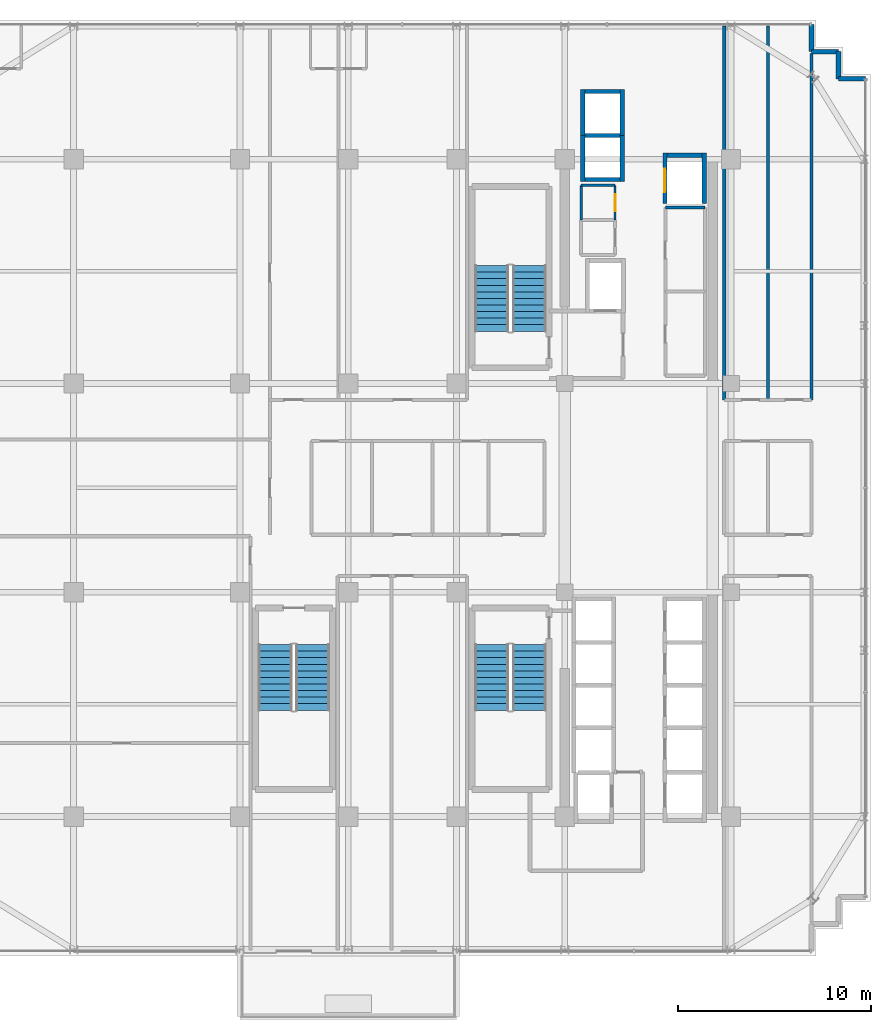
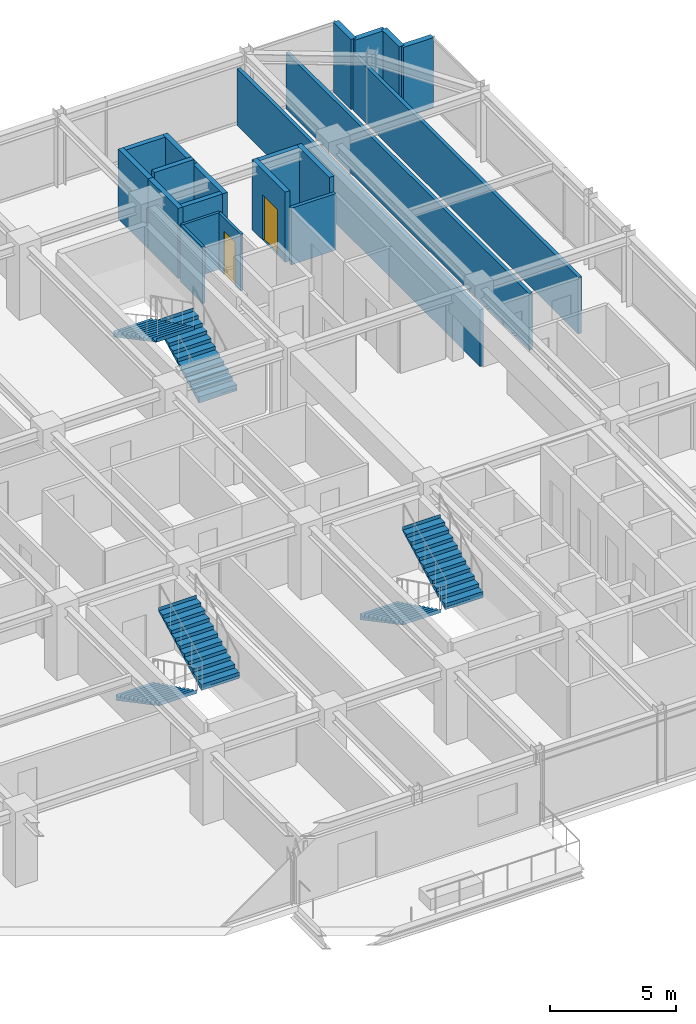
# One storey, part 29 of 32: 21 walls, 6 stair flights, 2 doors, 2 openings, 3 elements without a shape of their own.
"""IFC4 building model written with IfcOpenShell, lengths in metres."""

import ifcopenshell
import ifcopenshell.guid

model = None  # the IFC model being written
_history = None  # IfcOwnerHistory: only IFC2X3 demands one
_inside = {}  # id of a spatial element -> (the spatial element, [elements in it])
_under = {}  # id of a project, library or spatial element -> (it, [spatial elements below it])
_declared = {}  # id of a project -> (the project, [libraries it declares])
_typed = {}  # id of a type object -> (the type object, [elements of that type])
_made_of = {}  # id of a material, layer set ... -> (it, [elements and type objects made of it])


def new_model(schema):
    """Start an empty IFC model of exactly this schema.

    Asked for "IFC4X3", IfcOpenShell would pick the latest addendum, in which some entities
    have other attributes; the version numbers below select the first issue.
    IFC2X3 requires an IfcOwnerHistory on every rooted entity: one is made here for all.
    """
    global model, _history
    if schema == "IFC4X3":
        model = ifcopenshell.file(schema_version=(4, 3, 0, 0))
    else:
        model = ifcopenshell.file(schema=schema)
    _inside.clear()
    _under.clear()
    _declared.clear()
    _typed.clear()
    _made_of.clear()
    _history = None
    if model.schema == "IFC2X3":
        org = make("IfcOrganization", Name="unknown")
        user = make(
            "IfcPersonAndOrganization",
            ThePerson=make("IfcPerson", FamilyName="unknown"),
            TheOrganization=org,
        )
        app = make(
            "IfcApplication",
            ApplicationDeveloper=org,
            Version="unknown",
            ApplicationFullName="unknown",
            ApplicationIdentifier="unknown",
        )
        _history = make(
            "IfcOwnerHistory",
            OwningUser=user,
            OwningApplication=app,
            ChangeAction="ADDED",
            CreationDate=0,
        )
    return model


def make(cls, **values):
    """One entity of the class cls with the attributes given. An attribute that is None is left unset."""
    return model.create_entity(
        cls, **{name: value for name, value in values.items() if value is not None}
    )


def rooted(cls, **values):
    """An entity with a GlobalId (a new one), such as an element, a storey or a relation."""
    return make(cls, GlobalId=ifcopenshell.guid.new(), OwnerHistory=_history, **values)


def si_unit(unit_type, name, prefix=None):
    """IfcSIUnit, for example si_unit("LENGTHUNIT", "METRE", prefix="MILLI")."""
    return make("IfcSIUnit", UnitType=unit_type, Prefix=prefix, Name=name)


def assignment(units):
    """IfcUnitAssignment: the units of a project."""
    return None if units is None else make("IfcUnitAssignment", Units=units)


def point(xyz):
    """IfcCartesianPoint."""
    return None if xyz is None else make("IfcCartesianPoint", Coordinates=xyz)


def direction(xyz):
    """IfcDirection."""
    return None if xyz is None else make("IfcDirection", DirectionRatios=xyz)


def frame(location, z_axis=None, x_axis=None):
    """IfcAxis2Placement3D, a coordinate frame: its origin and axes. An axis left out is left unset."""
    return make(
        "IfcAxis2Placement3D",
        Location=point(location),
        Axis=direction(z_axis),
        RefDirection=direction(x_axis),
    )


def frame_2d(location, x_axis=None):
    """IfcAxis2Placement2D, a coordinate frame in the plane: its origin and x axis."""
    return make(
        "IfcAxis2Placement2D", Location=point(location), RefDirection=direction(x_axis)
    )


def origin():
    """The frame at (0, 0, 0) with its axes left unset."""
    return frame((0.0, 0.0, 0.0))


def place(relative_to, where):
    """IfcLocalPlacement: puts the frame where relative to a parent placement (None: the world)."""
    return make(
        "IfcLocalPlacement", PlacementRelTo=relative_to, RelativePlacement=where
    )


def context(
    kind, dimensions, precision=None, world=None, true_north=None, identifier=None
):
    """IfcGeometricRepresentationContext, for example the 3D "Model" context."""
    return make(
        "IfcGeometricRepresentationContext",
        ContextIdentifier=identifier,
        ContextType=kind,
        CoordinateSpaceDimension=dimensions,
        Precision=precision,
        WorldCoordinateSystem=world,
        TrueNorth=true_north,
    )


def subcontext(parent, identifier, kind, view, scale=None):
    """IfcGeometricRepresentationSubContext, for example "Body" below "Model"."""
    return make(
        "IfcGeometricRepresentationSubContext",
        ContextIdentifier=identifier,
        ContextType=kind,
        ParentContext=parent,
        TargetScale=scale,
        TargetView=view,
    )


def project(units=None, contexts=None):
    """IfcProject with its units and contexts."""
    return rooted(
        "IfcProject",
        Name="project",
        RepresentationContexts=contexts,
        UnitsInContext=assignment(units),
    )


def spatial(cls, under=None, at=None, **own):
    """A site, building, storey or space (cls), placed at a placement, below another one or the project."""
    s = rooted(cls, ObjectPlacement=at, **own)
    if under is not None:
        _under.setdefault(under.id(), (under, []))[1].append(s)
    return s


def polyline(points):
    """IfcPolyline through the points."""
    return make("IfcPolyline", Points=[point(p) for p in points])


def profile(cls, at=None, kind="AREA", **sizes):
    """A parametric profile (cls). Its sizes go by their IFC names, for example OverallWidth=200.0."""
    return make(cls, ProfileType=kind, Position=at, **sizes)


def rectangle(**sizes):
    """IfcRectangleProfileDef."""
    return profile("IfcRectangleProfileDef", **sizes)


def outline(outer, holes=None, kind="AREA"):
    """IfcArbitraryClosedProfileDef: a profile drawn as a closed curve; with holes, ...WithVoids."""
    if holes is None:
        return make("IfcArbitraryClosedProfileDef", ProfileType=kind, OuterCurve=outer)
    return make(
        "IfcArbitraryProfileDefWithVoids",
        ProfileType=kind,
        OuterCurve=outer,
        InnerCurves=holes,
    )


def extrude(swept, where, along, depth):
    """IfcExtrudedAreaSolid: the profile swept, set in the frame where, extruded along a direction by depth."""
    return make(
        "IfcExtrudedAreaSolid",
        SweptArea=swept,
        Position=where,
        ExtrudedDirection=direction(along),
        Depth=depth,
    )


def shape(context_of_items, identifier, shape_type, items):
    """IfcShapeRepresentation: the items that make up one representation, for example the "Body"."""
    return make(
        "IfcShapeRepresentation",
        ContextOfItems=context_of_items,
        RepresentationIdentifier=identifier,
        RepresentationType=shape_type,
        Items=items,
    )


def source(mapping_origin, context_of_items, identifier, shape_type, items):
    """IfcRepresentationMap: a shape defined once, which mapped items show again and again."""
    return make(
        "IfcRepresentationMap",
        MappingOrigin=mapping_origin,
        MappedRepresentation=shape(context_of_items, identifier, shape_type, items),
    )


def transform(
    local_origin,
    x_axis=None,
    y_axis=None,
    z_axis=None,
    scale=None,
    scale2=None,
    scale3=None,
    uniform=True,
):
    """IfcCartesianTransformationOperator3D, or its non-uniform kind. x_axis, y_axis, z_axis: its Axis1, 2, 3."""
    if uniform:
        return make(
            "IfcCartesianTransformationOperator3D",
            Axis1=direction(x_axis),
            Axis2=direction(y_axis),
            LocalOrigin=point(local_origin),
            Scale=scale,
            Axis3=direction(z_axis),
        )
    return make(
        "IfcCartesianTransformationOperator3DnonUniform",
        Axis1=direction(x_axis),
        Axis2=direction(y_axis),
        LocalOrigin=point(local_origin),
        Scale=scale,
        Axis3=direction(z_axis),
        Scale2=scale2,
        Scale3=scale3,
    )


def mapped(mapping_source, mapping_target):
    """IfcMappedItem: shows the shape of a source again, moved by a transform."""
    return make(
        "IfcMappedItem", MappingSource=mapping_source, MappingTarget=mapping_target
    )


def material(Name=None, Category=None):
    """IfcMaterial."""
    return make("IfcMaterial", Name=Name, Category=Category)


def layer(
    of_material, thickness, ventilated=None, Name=None, Category=None, Priority=None
):
    """IfcMaterialLayer: one layer of a wall or slab, of a material (None: an air gap)."""
    return make(
        "IfcMaterialLayer",
        Material=of_material,
        LayerThickness=thickness,
        IsVentilated=ventilated,
        Name=Name,
        Category=Category,
        Priority=Priority,
    )


def layer_set(layers, Name=None):
    """IfcMaterialLayerSet."""
    return make("IfcMaterialLayerSet", MaterialLayers=layers, LayerSetName=Name)


def made_of(thing, what):
    """Note that an element or type object is made of a material, layer set ...; save() writes the relation."""
    if what is not None:
        _made_of.setdefault(what.id(), (what, []))[1].append(thing)
    return thing


def type_object(cls, material=None, **own):
    """A type object (cls), such as IfcWallType, which elements share."""
    return made_of(rooted(cls, **own), material)


def element(
    cls,
    number,
    at=None,
    inside=None,
    cuts=None,
    type_object=None,
    material=None,
    context=None,
    identifier="Body",
    shape_type=None,
    held_by="IfcProductDefinitionShape",
    body=None,
    shapes=None,
    **own,
):
    """One element of the class cls, such as IfcWall. Its Tag is "e" and its number.

    at: its placement. inside: the storey or other place that contains it. cuts: it is an
    opening in that element (IfcRelVoidsElement). A single representation is given by context,
    identifier, shape_type and body (its items); several are given by shapes. held_by: the class
    of the entity that holds the representations. save() writes the other relations.
    """
    e = rooted(cls, Tag="e%d" % number, ObjectPlacement=at, **own)
    if body is not None:
        shapes = [shape(context, identifier, shape_type, body)]
    if shapes is not None:
        e.Representation = make(held_by, Representations=shapes)
    if inside is not None:
        _inside.setdefault(inside.id(), (inside, []))[1].append(e)
    if cuts is not None:
        rooted(
            "IfcRelVoidsElement", RelatingBuildingElement=cuts, RelatedOpeningElement=e
        )
    if type_object is not None:
        _typed.setdefault(type_object.id(), (type_object, []))[1].append(e)
    return made_of(e, material)


def fill(opening, filler):
    """IfcRelFillsElement: the door or window that sits in an opening."""
    return rooted(
        "IfcRelFillsElement",
        RelatingOpeningElement=opening,
        RelatedBuildingElement=filler,
    )


def aggregate(whole, parts):
    """IfcRelAggregates: a whole, such as a stair, and the parts it consists of."""
    return rooted("IfcRelAggregates", RelatingObject=whole, RelatedObjects=parts)


def save(model, path):
    """Write the relations noted so far, then the file.

    IfcRelAggregates (storeys below a building ...), IfcRelContainedInSpatialStructure (elements
    in a storey), IfcRelDefinesByType, IfcRelAssociatesMaterial and IfcRelDeclares: one each for
    every whole, place, type object, material and project.
    """
    for whole, parts in _under.values():
        aggregate(whole, parts)
    for where, things in _inside.values():
        rooted(
            "IfcRelContainedInSpatialStructure",
            RelatedElements=things,
            RelatingStructure=where,
        )
    for kind, things in _typed.values():
        rooted("IfcRelDefinesByType", RelatedObjects=things, RelatingType=kind)
    for what, things in _made_of.values():
        rooted("IfcRelAssociatesMaterial", RelatedObjects=things, RelatingMaterial=what)
    for by, libraries in _declared.values():
        rooted("IfcRelDeclares", RelatingContext=by, RelatedDefinitions=libraries)
    model.write(path)


model = new_model("IFC4")

# Units and contexts
model_context = context("Model", 3, precision=1e-05, world=origin(), true_north=direction((0.0, 1.0)))
body_context = subcontext(model_context, "Body", "Model", "MODEL_VIEW")
ifc_project = project(units=[si_unit("LENGTHUNIT", "METRE"), si_unit("AREAUNIT", "SQUARE_METRE"), si_unit("VOLUMEUNIT", "CUBIC_METRE"), si_unit("PLANEANGLEUNIT", "RADIAN"), si_unit("MASSUNIT", "GRAM", prefix="KILO")], contexts=[model_context])

# Site, building, storey
site_placement = place(None, origin())
site = spatial("IfcSite", under=ifc_project, at=site_placement, CompositionType="ELEMENT")
building_placement = place(site_placement, origin())
building = spatial("IfcBuilding", under=site, at=building_placement, Name="Nahalor Promenade Grand Hotel", CompositionType="ELEMENT")
storey_placement = place(building_placement, frame((0.0, 0.0, 230.800048828125)))
storey = spatial("IfcBuildingStorey", under=building, at=storey_placement, Name="L59", CompositionType="ELEMENT", Elevation=230.800048828125)

# Walls
ifc_material_1 = material(Name="Concrete B-50 (C40/50)", Category="concrete")
ifc_layer_1 = layer(ifc_material_1, 0.219970703125)
ifc_layer_set_1 = layer_set([ifc_layer_1], Name="Concrete B-50 (C40/50)")
wall_type_1 = type_object("IfcWallType", Name="Wall-LiftShaft-220", PredefinedType="SHEAR", material=ifc_layer_set_1)
shared_shape_1 = source(origin(), body_context, "Body", "SweptSolid", [
    extrude(rectangle(XDim=1.820068359375, YDim=0.219970703125, at=frame_2d((0.91015625, 0.0))), origin(), (0.0, 0.0, 1.0), 3.409912109375),
])
for number, where, z_axis, x_axis, name in (
    (1, (9.43994140625, 15.949951171875, 0.0), (0.0, 0.0, 1.0), (1.0, 0.0, 0.0), "L59 Lift OB1 Hoistway Wall S"),
    (2, (9.43994140625, 20.5, 0.0), (0.0, 0.0, 1.0), (1.0, 0.0, 0.0), "L59 Lift OB2 Hoistway Wall N"),
    (3, (13.68994140625, 17.199951171875, 0.0), (0.0, 0.0, 1.0), (1.0, 0.0, 0.0), "L59 Lift SV1 Hoistway Wall N"),
):
    element("IfcWall", number, at=place(storey_placement, frame(where, z_axis=z_axis, x_axis=x_axis)), inside=storey, type_object=wall_type_1, Name=name, PredefinedType="SHEAR", context=body_context, shape_type="MappedRepresentation", body=[
        mapped(shared_shape_1, transform((0.0, 0.0, 0.0), scale=1.0)),
    ])
shared_shape_2 = source(origin(), body_context, "Body", "SweptSolid", [
    extrude(rectangle(XDim=1.820068359375, YDim=0.219970703125, at=frame_2d((0.91015625, 0.0))), origin(), (0.0, 0.0, 1.0), 3.699951171875),
])
wall_1_placement = place(storey_placement, frame((9.43994140625, 18.22509765625, 0.0), z_axis=(0.0, 0.0, 1.0), x_axis=(1.0, 0.0, 0.0)))
element("IfcWall", 4, at=wall_1_placement, inside=storey, type_object=wall_type_1, Name="L59 Lift OB1 Hoistway Wall N", PredefinedType="SHEAR", context=body_context, shape_type="MappedRepresentation", body=[
    mapped(shared_shape_2, transform((0.0, 0.0, 0.0), scale=1.0)),
])
shared_shape_3 = source(origin(), body_context, "Body", "SweptSolid", [
    extrude(rectangle(XDim=2.385009765625, YDim=0.219970703125, at=frame_2d((1.1923828125, 0.0))), origin(), (0.0, 0.0, 1.0), 3.409912109375),
])
for number, where, z_axis, x_axis, name in (
    (5, (9.330078125, 15.840087890625, 0.0), (0.0, 0.0, 1.0), (0.0, 1.0, 0.0), "L59 Lift OB1 Hoistway Wall W"),
    (6, (11.3701171875, 15.840087890625, 0.0), (0.0, 0.0, 1.0), (0.0, 1.0, 0.0), "L59 Lift OB1 Hoistway Wall E"),
    (7, (9.330078125, 18.22509765625, 0.0), (0.0, 0.0, 1.0), (0.0, 1.0, 0.0), "L59 Lift OB2 Hoistway Wall W"),
    (8, (11.3701171875, 18.22509765625, 0.0), (0.0, 0.0, 1.0), (0.0, 1.0, 0.0), "L59 Lift OB2 Hoistway Wall E"),
):
    element("IfcWall", number, at=place(storey_placement, frame(where, z_axis=z_axis, x_axis=x_axis)), inside=storey, type_object=wall_type_1, Name=name, PredefinedType="SHEAR", context=body_context, shape_type="MappedRepresentation", body=[
        mapped(shared_shape_3, transform((0.0, 0.0, 0.0), scale=1.0)),
    ])

# Wall, opening, door
shared_shape_4 = source(origin(), body_context, "Body", "SweptSolid", [
    extrude(rectangle(XDim=2.610107421875, YDim=0.219970703125, at=frame_2d((1.30517578125, 0.0))), origin(), (0.0, 0.0, 1.0), 3.409912109375),
])
wall_2_placement = place(storey_placement, frame((13.580078125, 14.699951171875, 0.0), z_axis=(0.0, 0.0, 1.0), x_axis=(0.0, 1.0, 0.0)))
wall_2 = element("IfcWall", 9, at=wall_2_placement, inside=storey, type_object=wall_type_1, Name="L59 Lift SV1 Hoistway Wall W", PredefinedType="SHEAR", context=body_context, shape_type="MappedRepresentation", body=[
    mapped(shared_shape_4, transform((0.0, 0.0, 0.0), scale=1.0)),
])
opening_1_placement = place(wall_2_placement, frame((0.60009765625, 0.0, 0.0)))
opening_1 = element("IfcOpeningElement", 10, at=opening_1_placement, cuts=wall_2, Name="Opening LD-03", PredefinedType="OPENING", context=body_context, shape_type="SweptSolid", body=[
    extrude(rectangle(XDim=1.199951171875, YDim=2.199951171875, at=frame_2d((0.60009765625, 1.10009765625))), frame((0.0, 0.119873046875, 0.0), z_axis=(0.0, -1.0, 0.0), x_axis=(1.0, 0.0, 0.0)), (0.0, 0.0, 1.0), 0.239990234375),
])
ifc_material_2 = material(Name="Steel S355JR", Category="steel")
door_type_1 = type_object("IfcDoorType", Name="Door-LiftService-1200", OperationType="DOUBLE_DOOR_SLIDING", PredefinedType="DOOR", material=ifc_material_2)
shared_shape_5 = source(origin(), body_context, "Body", "SweptSolid", [
    extrude(rectangle(XDim=1.199951171875, YDim=2.199951171875, at=frame_2d((0.60009765625, 1.10009765625))), frame((0.0, 0.02490234375, 0.0), z_axis=(0.0, -1.0, 0.0), x_axis=(1.0, 0.0, 0.0)), (0.0, 0.0, 1.0), 0.050048828125),
])
door_1_placement = place(opening_1_placement, origin())
door_1 = element("IfcDoor", 11, at=door_1_placement, inside=storey, type_object=door_type_1, Name="DR-LIFT-SV1-L59", OperationType="DOUBLE_DOOR_SLIDING", OverallHeight=2.199951171875, OverallWidth=1.199951171875, PredefinedType="DOOR", context=body_context, shape_type="MappedRepresentation", body=[
    mapped(shared_shape_5, transform((0.0, 0.0, 0.0), scale=1.0)),
])
fill(opening_1, door_1)

# Walls
wall_3_placement = place(storey_placement, frame((15.6201171875, 14.699951171875, 0.0), z_axis=(0.0, 0.0, 1.0), x_axis=(0.0, 1.0, 0.0)))
element("IfcWall", 12, at=wall_3_placement, inside=storey, type_object=wall_type_1, Name="L59 Lift SV1 Hoistway Wall E", PredefinedType="SHEAR", context=body_context, shape_type="MappedRepresentation", body=[
    mapped(shared_shape_4, transform((0.0, 0.0, 0.0), scale=1.0)),
])
ifc_material_3 = material(Name="Concrete B-40 (C32/40)", Category="concrete")
ifc_layer_2 = layer(ifc_material_3, 0.25)
ifc_layer_set_2 = layer_set([ifc_layer_2], Name="Concrete B-40 (C32/40)")
wall_type_2 = type_object("IfcWallType", Name="Wall-BronzePier-250", PredefinedType="STANDARD", material=ifc_layer_set_2)
shared_shape_6 = source(origin(), body_context, "Body", "SweptSolid", [
    extrude(rectangle(XDim=1.39990234375, YDim=0.25, at=frame_2d((0.699951171875, 0.0))), origin(), (0.0, 0.0, 1.0), 3.409912109375),
])
for number, where, z_axis, x_axis, name in (
    (13, (22.56005859375, 21.159912109375, 0.0), (0.0, 0.0, 1.0), (1.0, 0.0, 0.0), "W-L59-SR-05"),
    (14, (21.159912109375, 22.56005859375, 0.0), (0.0, 0.0, 1.0), (0.0, 1.0, 0.0), "W-L59-SR-08"),
):
    element("IfcWall", number, at=place(storey_placement, frame(where, z_axis=z_axis, x_axis=x_axis)), inside=storey, type_object=wall_type_2, Name=name, PredefinedType="STANDARD", context=body_context, shape_type="MappedRepresentation", body=[
        mapped(shared_shape_6, transform((0.0, 0.0, 0.0), scale=1.0)),
    ])
shared_shape_7 = source(origin(), body_context, "Body", "SweptSolid", [
    extrude(rectangle(XDim=1.400146484375, YDim=0.25, at=frame_2d((0.7001953125, 0.0))), origin(), (0.0, 0.0, 1.0), 3.409912109375),
])
for number, where, z_axis, x_axis, name in (
    (15, (22.56005859375, 21.159912109375, 0.0), (0.0, 0.0, 1.0), (0.0, 1.0, 0.0), "W-L59-SR-06"),
    (16, (21.159912109375, 22.56005859375, 0.0), (0.0, 0.0, 1.0), (1.0, 0.0, 0.0), "W-L59-SR-07"),
):
    element("IfcWall", number, at=place(storey_placement, frame(where, z_axis=z_axis, x_axis=x_axis)), inside=storey, type_object=wall_type_2, Name=name, PredefinedType="STANDARD", context=body_context, shape_type="MappedRepresentation", body=[
        mapped(shared_shape_7, transform((0.0, 0.0, 0.0), scale=1.0)),
    ])
ifc_material_4 = material(Name="Acoustic Mineral Gypsum", Category="gypsum")
ifc_layer_3 = layer(ifc_material_4, 0.159912109375)
ifc_layer_set_3 = layer_set([ifc_layer_3], Name="Acoustic Mineral Gypsum")
wall_type_3 = type_object("IfcWallType", Name="Wall-PartCorridor-160", PredefinedType="PARTITIONING", material=ifc_layer_set_3)
shared_shape_8 = source(origin(), body_context, "Body", "SweptSolid", [
    extrude(rectangle(XDim=2.0498046875, YDim=0.159912109375, at=frame_2d((1.02490234375, 0.0))), origin(), (0.0, 0.0, 1.0), 2.75),
])
wall_4_placement = place(storey_placement, frame((13.60009765625, 14.5, 0.0), z_axis=(0.0, 0.0, 1.0), x_axis=(1.0, 0.0, 0.0)))
element("IfcWall", 17, at=wall_4_placement, inside=storey, type_object=wall_type_3, Name="W-L59-FRB1B-N", PredefinedType="PARTITIONING", context=body_context, shape_type="MappedRepresentation", body=[
    mapped(shared_shape_8, transform((0.0, 0.0, 0.0), scale=1.0)),
])
shared_shape_9 = source(origin(), body_context, "Body", "SweptSolid", [
    extrude(rectangle(XDim=19.349853515625, YDim=0.159912109375, at=frame_2d((9.6748046875, 0.0))), origin(), (0.0, 0.0, 1.0), 2.75),
])
for number, where, z_axis, x_axis, name in (
    (18, (16.64990234375, 4.550048828125, 0.0), (0.0, 0.0, 1.0), (0.0, 1.0, 0.0), "W-L59-ENE1-W"),
    (19, (18.905029296875, 4.550048828125, 0.0), (0.0, 0.0, 1.0), (0.0, 1.0, 0.0), "W-L59-ENE1-E"),
):
    element("IfcWall", number, at=place(storey_placement, frame(where, z_axis=z_axis, x_axis=x_axis)), inside=storey, type_object=wall_type_3, Name=name, PredefinedType="PARTITIONING", context=body_context, shape_type="MappedRepresentation", body=[
        mapped(shared_shape_9, transform((0.0, 0.0, 0.0), scale=1.0)),
    ])
shared_shape_10 = source(origin(), body_context, "Body", "SweptSolid", [
    extrude(rectangle(XDim=17.929931640625, YDim=0.159912109375, at=frame_2d((8.96484375, 0.0))), origin(), (0.0, 0.0, 1.0), 2.75),
])
wall_5_placement = place(storey_placement, frame((21.159912109375, 4.550048828125, 0.0), z_axis=(0.0, 0.0, 1.0), x_axis=(0.0, 1.0, 0.0)))
element("IfcWall", 20, at=wall_5_placement, inside=storey, type_object=wall_type_3, Name="W-L59-ENE2-E", PredefinedType="PARTITIONING", context=body_context, shape_type="MappedRepresentation", body=[
    mapped(shared_shape_10, transform((0.0, 0.0, 0.0), scale=1.0)),
])
ifc_layer_4 = layer(ifc_material_4, 0.1201171875)
ifc_layer_set_4 = layer_set([ifc_layer_4], Name="Acoustic Mineral Gypsum")
wall_type_4 = type_object("IfcWallType", Name="Wall-PartBath-120", PredefinedType="PARTITIONING", material=ifc_layer_set_4)
shared_shape_11 = source(origin(), body_context, "Body", "SweptSolid", [
    extrude(rectangle(XDim=1.75, YDim=0.1201171875, at=frame_2d((0.875, 0.0))), origin(), (0.0, 0.0, 1.0), 2.75),
])
wall_6_placement = place(storey_placement, frame((9.25, 15.64990234375, 0.0), z_axis=(0.0, 0.0, 1.0), x_axis=(1.0, 0.0, 0.0)))
element("IfcWall", 21, at=wall_6_placement, inside=storey, type_object=wall_type_4, Name="W-L59-CK2B-N", PredefinedType="PARTITIONING", context=body_context, shape_type="MappedRepresentation", body=[
    mapped(shared_shape_11, transform((0.0, 0.0, 0.0), scale=1.0)),
])
shared_shape_12 = source(origin(), body_context, "Body", "SweptSolid", [
    extrude(rectangle(XDim=1.7998046875, YDim=0.1201171875, at=frame_2d((0.89990234375, 0.0))), origin(), (0.0, 0.0, 1.0), 2.75),
])
wall_7_placement = place(storey_placement, frame((9.25, 13.85009765625, 0.0), z_axis=(0.0, 0.0, 1.0), x_axis=(0.0, 1.0, 0.0)))
element("IfcWall", 22, at=wall_7_placement, inside=storey, type_object=wall_type_4, Name="W-L59-CK2B-W", PredefinedType="PARTITIONING", context=body_context, shape_type="MappedRepresentation", body=[
    mapped(shared_shape_12, transform((0.0, 0.0, 0.0), scale=1.0)),
])

# Wall, opening, door
wall_8_placement = place(storey_placement, frame((11.0, 13.85009765625, 0.0), z_axis=(0.0, 0.0, 1.0), x_axis=(0.0, 1.0, 0.0)))
wall_8 = element("IfcWall", 23, at=wall_8_placement, inside=storey, type_object=wall_type_4, Name="W-L59-CK2B-E", PredefinedType="PARTITIONING", context=body_context, shape_type="MappedRepresentation", body=[
    mapped(shared_shape_12, transform((0.0, 0.0, 0.0), scale=1.0)),
])
opening_2_placement = place(wall_8_placement, frame((0.4599609375, 0.0, 0.0)))
opening_2 = element("IfcOpeningElement", 24, at=opening_2_placement, cuts=wall_8, Name="Opening D-03", PredefinedType="OPENING", context=body_context, shape_type="SweptSolid", body=[
    extrude(rectangle(XDim=0.8798828125, YDim=2.10009765625, at=frame_2d((0.43994140625, 1.050048828125))), frame((0.0, 0.070068359375, 0.0), z_axis=(0.0, -1.0, 0.0), x_axis=(1.0, 0.0, 0.0)), (0.0, 0.0, 1.0), 0.14013671875),
])
ifc_material_5 = material(Name="Fire-Rated Timber Composite", Category="wood")
door_type_2 = type_object("IfcDoorType", Name="Door-BathSwing-880", OperationType="NOTDEFINED", PredefinedType="DOOR", material=ifc_material_5)
shared_shape_13 = source(origin(), body_context, "Body", "SweptSolid", [
    extrude(rectangle(XDim=0.8798828125, YDim=2.10009765625, at=frame_2d((0.43994140625, 1.050048828125))), frame((0.0, 0.02490234375, 0.0), z_axis=(0.0, -1.0, 0.0), x_axis=(1.0, 0.0, 0.0)), (0.0, 0.0, 1.0), 0.050048828125),
])
door_2_placement = place(opening_2_placement, origin())
door_2 = element("IfcDoor", 25, at=door_2_placement, inside=storey, type_object=door_type_2, Name="DR-L59-CK2B", OperationType="SINGLE_SWING_LEFT", OverallHeight=2.10009765625, OverallWidth=0.8798828125, PredefinedType="DOOR", context=body_context, shape_type="MappedRepresentation", body=[
    mapped(shared_shape_13, transform((0.0, 0.0, 0.0), scale=1.0)),
])
fill(opening_2, door_2)

# Stair, stair flights
stair_type_1 = type_object("IfcStairType", Name="Stair-ST1", PredefinedType="HALF_TURN_STAIR", material=ifc_material_1)
stair_1_placement = place(storey_placement, origin())
stair_1 = element("IfcStair", 26, at=stair_1_placement, inside=storey, type_object=stair_type_1, Name="L59 ST1", PredefinedType="HALF_TURN_STAIR")
ifc_layer_5 = layer(ifc_material_1, 0.179931640625)
ifc_layer_set_5 = layer_set([ifc_layer_5], Name="Concrete B-50 (C40/50)")
stair_flight_type_1 = type_object("IfcStairFlightType", Name="Flight-ST1", PredefinedType="STRAIGHT", material=ifc_layer_set_5)
shared_shape_14 = source(origin(), body_context, "Body", "SweptSolid", [
    extrude(outline(polyline([(-0.00390625, -0.1201171875), (-0.00390625, 0.0), (0.0, 0.0), (0.0, 0.168212890625), (0.340087890625, 0.168212890625), (0.340087890625, 0.33642578125), (0.679931640625, 0.33642578125), (0.679931640625, 0.504638671875), (1.02001953125, 0.504638671875), (1.02001953125, 0.672607421875), (1.360107421875, 0.672607421875), (1.360107421875, 0.8408203125), (1.699951171875, 0.8408203125), (1.699951171875, 1.009033203125), (2.0400390625, 1.009033203125), (2.0400390625, 1.17724609375), (2.3798828125, 1.17724609375), (2.3798828125, 1.345458984375), (2.719970703125, 1.345458984375), (2.719970703125, 1.513671875), (3.06005859375, 1.513671875), (3.06005859375, 1.681884765625), (3.39990234375, 1.681884765625), (3.39990234375, 1.85009765625), (3.404052734375, 1.85009765625), (3.404052734375, 1.669921875), (0.02001953125, -0.1201171875), (-0.00390625, -0.1201171875)])), frame((0.0, 0.875, 0.0), z_axis=(0.0, -1.0, 0.0), x_axis=(1.0, 0.0, 0.0)), (0.0, 0.0, 1.0), 1.75),
])
stair_flight_1_placement = place(storey_placement, frame((6.574951171875, 8.10009765625, 0.0), z_axis=(0.0, 0.0, 1.0), x_axis=(0.0, 1.0, 0.0)))
stair_flight_1 = element("IfcStairFlight", 27, at=stair_flight_1_placement, type_object=stair_flight_type_1, Name="ST1 flight 1", NumberOfRisers=11, NumberOfTreads=10, PredefinedType="STRAIGHT", RiserHeight=0.168181818, TreadLength=0.34, context=body_context, shape_type="MappedRepresentation", body=[
    mapped(shared_shape_14, transform((0.0, 0.0, 0.0), scale=1.0)),
])
stair_flight_2_placement = place(storey_placement, frame((4.625, 11.5, 1.849853515625), z_axis=(0.0, 0.0, 1.0), x_axis=(0.0, -1.0, 0.0)))
stair_flight_2 = element("IfcStairFlight", 28, at=stair_flight_2_placement, type_object=stair_flight_type_1, Name="ST1 flight 2", NumberOfRisers=11, NumberOfTreads=10, PredefinedType="STRAIGHT", RiserHeight=0.168181818, TreadLength=0.34, context=body_context, shape_type="MappedRepresentation", body=[
    mapped(shared_shape_14, transform((0.0, 0.0, 0.0), scale=1.0)),
])
aggregate(stair_1, [stair_flight_1, stair_flight_2])

stair_type_2 = type_object("IfcStairType", Name="Stair-ST2", PredefinedType="HALF_TURN_STAIR", material=ifc_material_1)
stair_2_placement = place(storey_placement, origin())
stair_2 = element("IfcStair", 29, at=stair_2_placement, inside=storey, type_object=stair_type_2, Name="L59 ST2", PredefinedType="HALF_TURN_STAIR")
ifc_layer_6 = layer(ifc_material_1, 0.18994140625)
ifc_layer_set_6 = layer_set([ifc_layer_6], Name="Concrete B-50 (C40/50)")
stair_flight_type_2 = type_object("IfcStairFlightType", Name="Flight-ST2", PredefinedType="STRAIGHT", material=ifc_layer_set_6)
shared_shape_15 = source(origin(), body_context, "Body", "SweptSolid", [
    extrude(outline(polyline([(-0.00390625, -0.1201171875), (-0.00390625, 0.0), (0.0, 0.0), (0.0, 0.168212890625), (0.340087890625, 0.168212890625), (0.340087890625, 0.33642578125), (0.679931640625, 0.33642578125), (0.679931640625, 0.504638671875), (1.02001953125, 0.504638671875), (1.02001953125, 0.672607421875), (1.360107421875, 0.672607421875), (1.360107421875, 0.8408203125), (1.699951171875, 0.8408203125), (1.699951171875, 1.009033203125), (2.0400390625, 1.009033203125), (2.0400390625, 1.17724609375), (2.3798828125, 1.17724609375), (2.3798828125, 1.345458984375), (2.719970703125, 1.345458984375), (2.719970703125, 1.513671875), (3.06005859375, 1.513671875), (3.06005859375, 1.681884765625), (3.39990234375, 1.681884765625), (3.39990234375, 1.85009765625), (3.404052734375, 1.85009765625), (3.404052734375, 1.669921875), (0.02001953125, -0.1201171875), (-0.00390625, -0.1201171875)])), frame((0.0, 0.875, 0.0), z_axis=(0.0, -1.0, 0.0), x_axis=(1.0, 0.0, 0.0)), (0.0, 0.0, 1.0), 1.75),
])
stair_flight_3_placement = place(storey_placement, frame((4.625, -8.10009765625, 0.0), z_axis=(0.0, 0.0, 1.0), x_axis=(0.0, -1.0, 0.0)))
stair_flight_3 = element("IfcStairFlight", 30, at=stair_flight_3_placement, type_object=stair_flight_type_2, Name="ST2 flight 1", NumberOfRisers=11, NumberOfTreads=10, PredefinedType="STRAIGHT", RiserHeight=0.168181818, TreadLength=0.34, context=body_context, shape_type="MappedRepresentation", body=[
    mapped(shared_shape_15, transform((0.0, 0.0, 0.0), scale=1.0)),
])
stair_flight_4_placement = place(storey_placement, frame((6.574951171875, -11.5, 1.849853515625), z_axis=(0.0, 0.0, 1.0), x_axis=(0.0, 1.0, 0.0)))
stair_flight_4 = element("IfcStairFlight", 31, at=stair_flight_4_placement, type_object=stair_flight_type_2, Name="ST2 flight 2", NumberOfRisers=11, NumberOfTreads=10, PredefinedType="STRAIGHT", RiserHeight=0.168181818, TreadLength=0.34, context=body_context, shape_type="MappedRepresentation", body=[
    mapped(shared_shape_15, transform((0.0, 0.0, 0.0), scale=1.0)),
])
aggregate(stair_2, [stair_flight_3, stair_flight_4])

stair_type_3 = type_object("IfcStairType", Name="Stair-ST3", PredefinedType="HALF_TURN_STAIR", material=ifc_material_1)
stair_3_placement = place(storey_placement, origin())
stair_3 = element("IfcStair", 32, at=stair_3_placement, inside=storey, type_object=stair_type_3, Name="L59 ST3", PredefinedType="HALF_TURN_STAIR")
ifc_layer_7 = layer(ifc_material_1, 0.199951171875)
ifc_layer_set_7 = layer_set([ifc_layer_7], Name="Concrete B-50 (C40/50)")
stair_flight_type_3 = type_object("IfcStairFlightType", Name="Flight-ST3", PredefinedType="STRAIGHT", material=ifc_layer_set_7)
shared_shape_16 = source(origin(), body_context, "Body", "SweptSolid", [
    extrude(outline(polyline([(-0.00390625, -0.1201171875), (-0.00390625, 0.0), (0.0, 0.0), (0.0, 0.168212890625), (0.340087890625, 0.168212890625), (0.340087890625, 0.33642578125), (0.679931640625, 0.33642578125), (0.679931640625, 0.504638671875), (1.02001953125, 0.504638671875), (1.02001953125, 0.672607421875), (1.360107421875, 0.672607421875), (1.360107421875, 0.8408203125), (1.699951171875, 0.8408203125), (1.699951171875, 1.009033203125), (2.0400390625, 1.009033203125), (2.0400390625, 1.17724609375), (2.3798828125, 1.17724609375), (2.3798828125, 1.345458984375), (2.719970703125, 1.345458984375), (2.719970703125, 1.513671875), (3.06005859375, 1.513671875), (3.06005859375, 1.681884765625), (3.39990234375, 1.681884765625), (3.39990234375, 1.85009765625), (3.404052734375, 1.85009765625), (3.404052734375, 1.669921875), (0.02001953125, -0.1201171875), (-0.00390625, -0.1201171875)])), frame((0.0, 0.875, 0.0), z_axis=(0.0, -1.0, 0.0), x_axis=(1.0, 0.0, 0.0)), (0.0, 0.0, 1.0), 1.75),
])
stair_flight_5_placement = place(storey_placement, frame((-6.574951171875, -8.10009765625, 0.0), z_axis=(0.0, 0.0, 1.0), x_axis=(0.0, -1.0, 0.0)))
stair_flight_5 = element("IfcStairFlight", 33, at=stair_flight_5_placement, type_object=stair_flight_type_3, Name="ST3 flight 1", NumberOfRisers=11, NumberOfTreads=10, PredefinedType="STRAIGHT", RiserHeight=0.168181818, TreadLength=0.34, context=body_context, shape_type="MappedRepresentation", body=[
    mapped(shared_shape_16, transform((0.0, 0.0, 0.0), scale=1.0)),
])
stair_flight_6_placement = place(storey_placement, frame((-4.625, -11.5, 1.849853515625), z_axis=(0.0, 0.0, 1.0), x_axis=(0.0, 1.0, 0.0)))
stair_flight_6 = element("IfcStairFlight", 34, at=stair_flight_6_placement, type_object=stair_flight_type_3, Name="ST3 flight 2", NumberOfRisers=11, NumberOfTreads=10, PredefinedType="STRAIGHT", RiserHeight=0.168181818, TreadLength=0.34, context=body_context, shape_type="MappedRepresentation", body=[
    mapped(shared_shape_16, transform((0.0, 0.0, 0.0), scale=1.0)),
])
aggregate(stair_3, [stair_flight_5, stair_flight_6])

save(model, "model.ifc")
